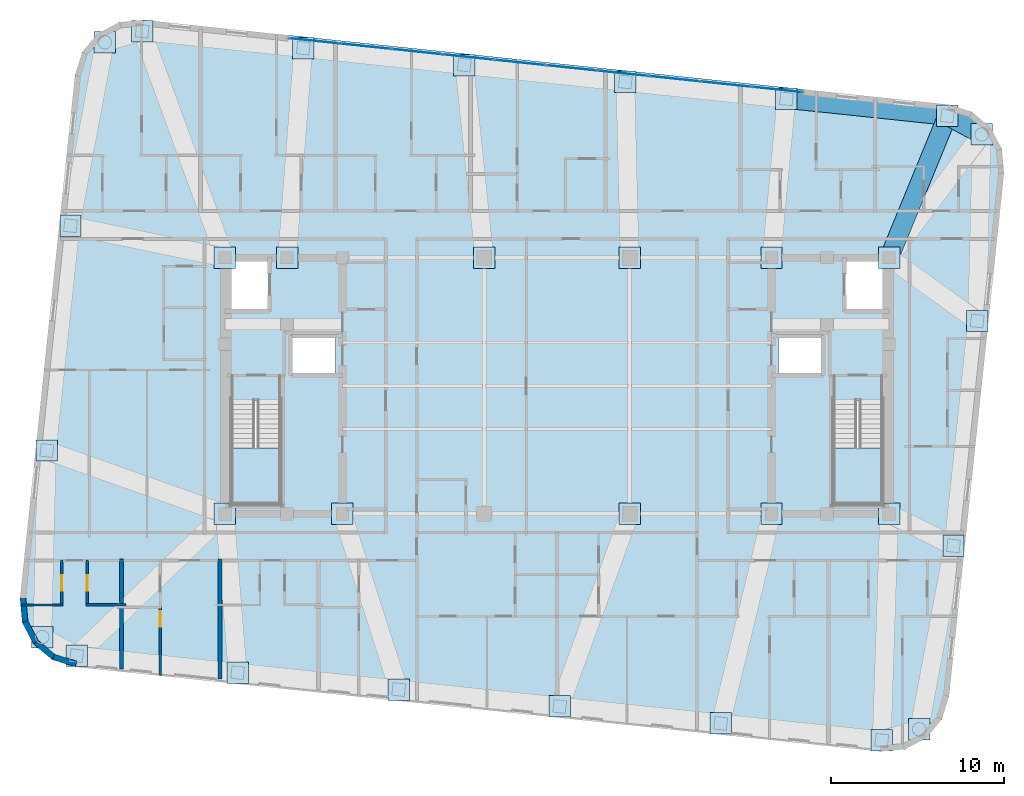
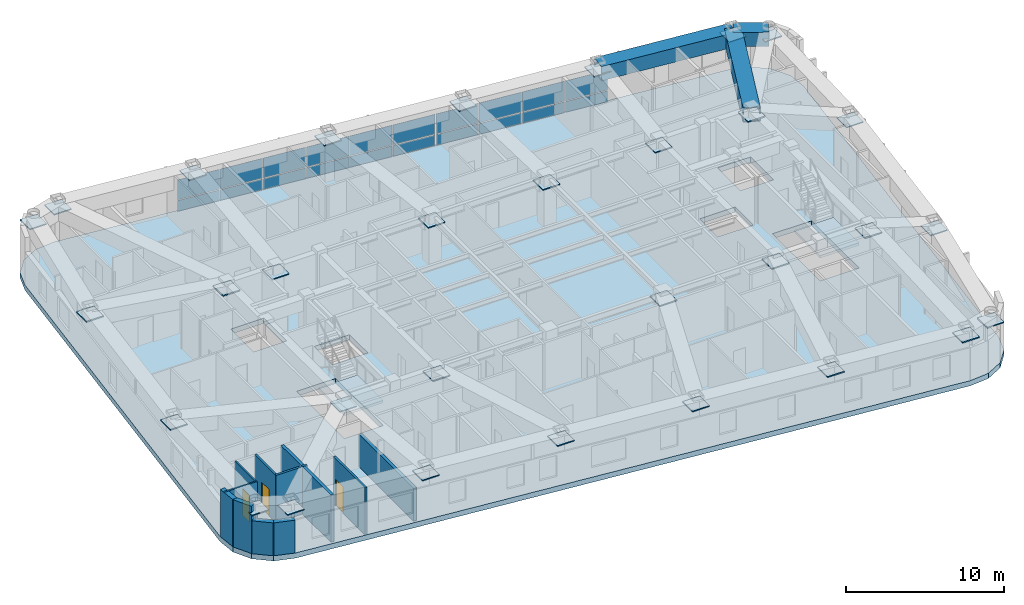
# One storey, part 7 of 16: 51 plates, 11 walls, 3 beams, 3 doors, 3 slabs, 3 openings, 3 elements without a shape of their own.
"""IFC4 building model written with IfcOpenShell, lengths in metres."""

from ifc_helpers import new_model, si_unit, direction, frame, frame_2d, origin, origin_2d, place, context, subcontext, project, spatial, polyline, rectangle, hollow_rectangle, outline, extrude, material, layer, layer_set, material_profile, profile_set, type_object, element, fill, aggregate, save


model = new_model("IFC4")

# Units and contexts
model_context = context("Model", 3, precision=1e-05, world=origin(), true_north=direction((0.0, 1.0)))
body_context = subcontext(model_context, "Body", "Model", "MODEL_VIEW")
ifc_project = project(units=[si_unit("LENGTHUNIT", "METRE"), si_unit("AREAUNIT", "SQUARE_METRE"), si_unit("VOLUMEUNIT", "CUBIC_METRE"), si_unit("PLANEANGLEUNIT", "RADIAN"), si_unit("MASSUNIT", "GRAM", prefix="KILO")], contexts=[model_context])

# Site, building, storey
site_placement = place(None, origin())
site = spatial("IfcSite", under=ifc_project, at=site_placement, CompositionType="ELEMENT")
building_placement = place(site_placement, origin())
building = spatial("IfcBuilding", under=site, at=building_placement, Name="Voryun Gate Residences", CompositionType="ELEMENT")
storey_placement = place(building_placement, frame((0.0, 0.0, 260.0)))
storey = spatial("IfcBuildingStorey", under=building, at=storey_placement, Name="L64", CompositionType="ELEMENT", Elevation=260.0)

# Beams
ifc_material_1 = material(Name="Steel SM420", Category="steel")
ifc_material_profile = material_profile(ifc_material_1, hollow_rectangle(XDim=1.10009765625, YDim=1.10009765625, WallThickness=0.035888671875, at=origin_2d()), Name="BOX-1100x1100x36")
ifc_profile_set = profile_set([ifc_material_profile], Name="Steel SM420")
beam_type = type_object("IfcBeamType", Name="BM_ARCH_RIB", PredefinedType="USERDEFINED", material=ifc_profile_set)
beam_1_placement = place(storey_placement, frame((24.55322265625, 14.52734375, 3.10009765625), z_axis=(-0.878844363117, 0.477108567746, 0.0), x_axis=(-0.477108567746, -0.878844363117, 0.0)))
element("IfcBeam", 1, at=beam_1_placement, inside=storey, type_object=beam_type, Name="BM-L64-SPAND-10", ObjectType="GIRDER", PredefinedType="USERDEFINED", context=body_context, shape_type="SweptSolid", body=[
    extrude(hollow_rectangle(XDim=1.10009765625, YDim=1.10009765625, WallThickness=0.035888671875, at=origin_2d()), origin(), (0.0, 0.0, 1.0), 2.257568359375),
])
beam_2_placement = place(storey_placement, frame((22.569091796875, 15.6044921875, 3.10009765625), z_axis=(-0.994520592114, 0.104540862157, 0.0), x_axis=(-0.104540862157, -0.994520592114, 0.0)))
element("IfcBeam", 2, at=beam_2_placement, inside=storey, type_object=beam_type, Name="BM-L64-SPAND-11", ObjectType="GIRDER", PredefinedType="USERDEFINED", context=body_context, shape_type="SweptSolid", body=[
    extrude(hollow_rectangle(XDim=1.10009765625, YDim=1.10009765625, WallThickness=0.035888671875, at=origin_2d()), origin(), (0.0, 0.0, 1.0), 9.360107421875),
])
beam_3_placement = place(storey_placement, frame((19.199951171875, 7.39990234375, 3.10009765625), z_axis=(0.379860811741, 0.925043655026, 0.0), x_axis=(-0.925043655026, 0.379860811741, 0.0)))
element("IfcBeam", 3, at=beam_3_placement, inside=storey, type_object=beam_type, Name="BM-L64-RAD-N1", ObjectType="GIRDER", PredefinedType="USERDEFINED", context=body_context, shape_type="SweptSolid", body=[
    extrude(hollow_rectangle(XDim=1.10009765625, YDim=1.10009765625, WallThickness=0.035888671875, at=origin_2d()), origin(), (0.0, 0.0, 1.0), 8.869384765625),
])

# Plates
ifc_material_2 = material(Name="Steel SM355", Category="steel")
ifc_layer_1 = layer(ifc_material_2, 0.02490234375, Name="PLT_END_CAP_25")
ifc_layer_set_1 = layer_set([ifc_layer_1], Name="Steel SM355")
plate_type_1 = type_object("IfcPlateType", Name="PLT_END_CAP_25", PredefinedType="USERDEFINED", material=ifc_layer_set_1)
for number, where, z_axis, x_axis, name in (
    (4, (-27.76904296875, -15.6044921875, 3.06005859375), (0.0, 0.0, 1.0), (1.0, 0.0, 0.0), "L64 Hollow Member End-Cap Plate EC-798"),
    (5, (-18.460205078125, -16.5830078125, 3.06005859375), (0.0, 0.0, 1.0), (1.0, 0.0, 0.0), "L64 Hollow Member End-Cap Plate EC-799"),
    (6, (-9.151611328125, -17.561279296875, 3.06005859375), (0.0, 0.0, 1.0), (1.0, 0.0, 0.0), "L64 Hollow Member End-Cap Plate EC-800"),
    (7, (0.1572265625, -18.539794921875, 3.06005859375), (0.0, 0.0, 1.0), (1.0, 0.0, 0.0), "L64 Hollow Member End-Cap Plate EC-801"),
    (8, (9.4658203125, -19.51806640625, 3.06005859375), (0.0, 0.0, 1.0), (1.0, 0.0, 0.0), "L64 Hollow Member End-Cap Plate EC-802"),
    (9, (18.774658203125, -20.49658203125, 3.06005859375), (0.0, 0.0, 1.0), (1.0, 0.0, 0.0), "L64 Hollow Member End-Cap Plate EC-803"),
    (10, (20.939453125, -19.855224609375, 3.06005859375), (0.0, 0.0, 1.0), (1.0, 0.0, 0.0), "L64 Hollow Member End-Cap Plate EC-804"),
    (11, (22.922607421875, -9.25244140625, 3.06005859375), (0.0, 0.0, 1.0), (1.0, 0.0, 0.0), "L64 Hollow Member End-Cap Plate EC-805"),
    (12, (24.28857421875, 3.743896484375, 3.06005859375), (0.0, 0.0, 1.0), (1.0, 0.0, 0.0), "L64 Hollow Member End-Cap Plate EC-806"),
    (13, (24.55322265625, 14.52734375, 3.06005859375), (0.0, 0.0, 1.0), (1.0, 0.0, 0.0), "L64 Hollow Member End-Cap Plate EC-807"),
    (14, (22.569091796875, 15.6044921875, 3.06005859375), (0.0, 0.0, 1.0), (1.0, 0.0, 0.0), "L64 Hollow Member End-Cap Plate EC-808"),
    (15, (13.26025390625, 16.5830078125, 3.06005859375), (0.0, 0.0, 1.0), (1.0, 0.0, 0.0), "L64 Hollow Member End-Cap Plate EC-809"),
    (16, (3.95166015625, 17.561279296875, 3.06005859375), (0.0, 0.0, 1.0), (1.0, 0.0, 0.0), "L64 Hollow Member End-Cap Plate EC-810"),
    (17, (-5.357177734375, 18.539794921875, 3.06005859375), (0.0, 0.0, 1.0), (1.0, 0.0, 0.0), "L64 Hollow Member End-Cap Plate EC-811"),
    (18, (-14.666015625, 19.51806640625, 3.06005859375), (0.0, 0.0, 1.0), (1.0, 0.0, 0.0), "L64 Hollow Member End-Cap Plate EC-812"),
    (19, (-23.974609375, 20.49658203125, 3.06005859375), (0.0, 0.0, 1.0), (1.0, 0.0, 0.0), "L64 Hollow Member End-Cap Plate EC-813"),
    (20, (-26.139404296875, 19.855224609375, 3.06005859375), (0.0, 0.0, 1.0), (1.0, 0.0, 0.0), "L64 Hollow Member End-Cap Plate EC-814"),
    (21, (-28.122802734375, 9.25244140625, 3.06005859375), (0.0, 0.0, 1.0), (1.0, 0.0, 0.0), "L64 Hollow Member End-Cap Plate EC-815"),
    (22, (-29.488525390625, -3.743896484375, 3.06005859375), (0.0, 0.0, 1.0), (1.0, 0.0, 0.0), "L64 Hollow Member End-Cap Plate EC-816"),
    (23, (-29.75341796875, -14.52734375, 3.06005859375), (0.0, 0.0, 1.0), (1.0, 0.0, 0.0), "L64 Hollow Member End-Cap Plate EC-817"),
    (24, (-19.199951171875, -7.39990234375, 3.06005859375), (0.0, 0.0, 1.0), (1.0, 0.0, 0.0), "L64 Hollow Member End-Cap Plate EC-818"),
    (25, (-12.39990234375, -7.39990234375, 3.06005859375), (0.0, 0.0, 1.0), (1.0, 0.0, 0.0), "L64 Hollow Member End-Cap Plate EC-819"),
    (26, (4.199951171875, -7.39990234375, 3.06005859375), (0.0, 0.0, 1.0), (1.0, 0.0, 0.0), "L64 Hollow Member End-Cap Plate EC-820"),
    (27, (12.39990234375, -7.39990234375, 3.06005859375), (0.0, 0.0, 1.0), (1.0, 0.0, 0.0), "L64 Hollow Member End-Cap Plate EC-821"),
    (28, (19.199951171875, -7.39990234375, 3.06005859375), (0.0, 0.0, 1.0), (1.0, 0.0, 0.0), "L64 Hollow Member End-Cap Plate EC-822"),
    (29, (19.199951171875, 7.39990234375, 3.06005859375), (0.0, 0.0, 1.0), (1.0, 0.0, 0.0), "L64 Hollow Member End-Cap Plate EC-823"),
    (30, (12.39990234375, 7.39990234375, 3.06005859375), (0.0, 0.0, 1.0), (1.0, 0.0, 0.0), "L64 Hollow Member End-Cap Plate EC-824"),
    (31, (4.199951171875, 7.39990234375, 3.06005859375), (0.0, 0.0, 1.0), (1.0, 0.0, 0.0), "L64 Hollow Member End-Cap Plate EC-825"),
    (32, (-4.199951171875, 7.39990234375, 3.06005859375), (0.0, 0.0, 1.0), (1.0, 0.0, 0.0), "L64 Hollow Member End-Cap Plate EC-826"),
    (33, (-15.60009765625, 7.39990234375, 3.06005859375), (0.0, 0.0, 1.0), (1.0, 0.0, 0.0), "L64 Hollow Member End-Cap Plate EC-827"),
    (34, (-19.199951171875, 7.39990234375, 3.06005859375), (0.0, 0.0, 1.0), (1.0, 0.0, 0.0), "L64 Hollow Member End-Cap Plate EC-828"),
):
    element("IfcPlate", number, at=place(storey_placement, frame(where, z_axis=z_axis, x_axis=x_axis)), inside=storey, type_object=plate_type_1, Name=name, ObjectType="BASE_PLATE", PredefinedType="USERDEFINED", context=body_context, shape_type="SweptSolid", body=[
        extrude(rectangle(XDim=1.239990234375, YDim=1.239990234375, at=origin_2d()), origin(), (0.0, 0.0, 1.0), 0.080078125),
    ])

# Curtain wall, plates
ifc_material_3 = material(Name="Anodised aluminium", Category="aluminium")
ifc_layer_2 = layer(ifc_material_3, 0.2099609375, Name="CW_SYS_SKYGARDEN_DARK_GLASS")
ifc_layer_set_2 = layer_set([ifc_layer_2], Name="Anodised aluminium")
curtain_wall_type = type_object("IfcCurtainWallType", Name="CW_SYS_SKYGARDEN_DARK_GLASS", PredefinedType="NOTDEFINED", material=ifc_layer_set_2)
curtain_wall_placement = place(storey_placement, origin())
curtain_wall = element("IfcCurtainWall", 35, at=curtain_wall_placement, inside=storey, type_object=curtain_wall_type, Name="Curtain wall CW5-L64-SG-11", PredefinedType="NOTDEFINED")
ifc_material_4 = material(Name="Laminated low-E glass", Category="glass")
ifc_layer_3 = layer(ifc_material_4, 0.0458984375, Name="PLT_GLASS_DARK_SKY")
ifc_layer_set_3 = layer_set([ifc_layer_3], Name="Laminated low-E glass")
plate_type_2 = type_object("IfcPlateType", Name="PLT_GLASS_DARK_SKY", PredefinedType="CURTAIN_PANEL", material=ifc_layer_set_3)
plate_1_placement = place(storey_placement, frame((-14.03271484375, 19.934326171875, 0.06005859375), z_axis=(0.0, 0.0, 1.0), x_axis=(0.994521496699, -0.104532256285, 0.0)))
plate_1 = element("IfcPlate", 36, at=plate_1_placement, type_object=plate_type_2, Name="CW5 panel 1.1", PredefinedType="CURTAIN_PANEL", context=body_context, shape_type="SweptSolid", body=[
    extrude(rectangle(XDim=2.903076171875, YDim=0.028076171875, at=origin_2d()), origin(), (0.0, 0.0, 1.0), 0.824462890625),
])
plate_2_placement = place(storey_placement, frame((-14.03271484375, 19.934326171875, 0.9443359375), z_axis=(0.0, 0.0, 1.0), x_axis=(0.994521496699, -0.104532256285, 0.0)))
plate_2 = element("IfcPlate", 37, at=plate_2_placement, type_object=plate_type_2, Name="CW5 panel 1.2", PredefinedType="CURTAIN_PANEL", context=body_context, shape_type="SweptSolid", body=[
    extrude(rectangle(XDim=2.903076171875, YDim=0.028076171875, at=origin_2d()), origin(), (0.0, 0.0, 1.0), 1.53564453125),
])
plate_3_placement = place(storey_placement, frame((-11.071044921875, 19.623046875, 0.06005859375), z_axis=(0.0, 0.0, 1.0), x_axis=(0.994521496699, -0.104532256285, 0.0)))
plate_3 = element("IfcPlate", 38, at=plate_3_placement, type_object=plate_type_2, Name="CW5 panel 2.1", PredefinedType="CURTAIN_PANEL", context=body_context, shape_type="SweptSolid", body=[
    extrude(rectangle(XDim=2.93310546875, YDim=0.028076171875, at=origin_2d()), origin(), (0.0, 0.0, 1.0), 0.824462890625),
])
plate_4_placement = place(storey_placement, frame((-11.071044921875, 19.623046875, 0.9443359375), z_axis=(0.0, 0.0, 1.0), x_axis=(0.994521496699, -0.104532256285, 0.0)))
plate_4 = element("IfcPlate", 39, at=plate_4_placement, type_object=plate_type_2, Name="CW5 panel 2.2", PredefinedType="CURTAIN_PANEL", context=body_context, shape_type="SweptSolid", body=[
    extrude(rectangle(XDim=2.93310546875, YDim=0.028076171875, at=origin_2d()), origin(), (0.0, 0.0, 1.0), 1.53564453125),
])
plate_5_placement = place(storey_placement, frame((-8.09423828125, 19.31005859375, 0.06005859375), z_axis=(0.0, 0.0, 1.0), x_axis=(0.994521496699, -0.104532256285, 0.0)))
plate_5 = element("IfcPlate", 40, at=plate_5_placement, type_object=plate_type_2, Name="CW5 panel 3.1", PredefinedType="CURTAIN_PANEL", context=body_context, shape_type="SweptSolid", body=[
    extrude(rectangle(XDim=2.93310546875, YDim=0.028076171875, at=origin_2d()), origin(), (0.0, 0.0, 1.0), 0.824462890625),
])
plate_6_placement = place(storey_placement, frame((-8.09423828125, 19.31005859375, 0.9443359375), z_axis=(0.0, 0.0, 1.0), x_axis=(0.994521496699, -0.104532256285, 0.0)))
plate_6 = element("IfcPlate", 41, at=plate_6_placement, type_object=plate_type_2, Name="CW5 panel 3.2", PredefinedType="CURTAIN_PANEL", context=body_context, shape_type="SweptSolid", body=[
    extrude(rectangle(XDim=2.93310546875, YDim=0.028076171875, at=origin_2d()), origin(), (0.0, 0.0, 1.0), 1.53564453125),
])
plate_7_placement = place(storey_placement, frame((-5.11767578125, 18.997314453125, 0.06005859375), z_axis=(0.0, 0.0, 1.0), x_axis=(0.994521496699, -0.104532256285, 0.0)))
plate_7 = element("IfcPlate", 42, at=plate_7_placement, type_object=plate_type_2, Name="CW5 panel 4.1", PredefinedType="CURTAIN_PANEL", context=body_context, shape_type="SweptSolid", body=[
    extrude(rectangle(XDim=2.93310546875, YDim=0.028076171875, at=origin_2d()), origin(), (0.0, 0.0, 1.0), 0.824462890625),
])
plate_8_placement = place(storey_placement, frame((-5.11767578125, 18.997314453125, 0.9443359375), z_axis=(0.0, 0.0, 1.0), x_axis=(0.994521496699, -0.104532256285, 0.0)))
plate_8 = element("IfcPlate", 43, at=plate_8_placement, type_object=plate_type_2, Name="CW5 panel 4.2", PredefinedType="CURTAIN_PANEL", context=body_context, shape_type="SweptSolid", body=[
    extrude(rectangle(XDim=2.93310546875, YDim=0.028076171875, at=origin_2d()), origin(), (0.0, 0.0, 1.0), 1.53564453125),
])
plate_9_placement = place(storey_placement, frame((-2.140869140625, 18.684326171875, 0.06005859375), z_axis=(0.0, 0.0, 1.0), x_axis=(0.994521496699, -0.104532256285, 0.0)))
plate_9 = element("IfcPlate", 44, at=plate_9_placement, type_object=plate_type_2, Name="CW5 panel 5.1", PredefinedType="CURTAIN_PANEL", context=body_context, shape_type="SweptSolid", body=[
    extrude(rectangle(XDim=2.93310546875, YDim=0.028076171875, at=origin_2d()), origin(), (0.0, 0.0, 1.0), 0.824462890625),
])
plate_10_placement = place(storey_placement, frame((-2.140869140625, 18.684326171875, 0.9443359375), z_axis=(0.0, 0.0, 1.0), x_axis=(0.994521496699, -0.104532256285, 0.0)))
plate_10 = element("IfcPlate", 45, at=plate_10_placement, type_object=plate_type_2, Name="CW5 panel 5.2", PredefinedType="CURTAIN_PANEL", context=body_context, shape_type="SweptSolid", body=[
    extrude(rectangle(XDim=2.93310546875, YDim=0.028076171875, at=origin_2d()), origin(), (0.0, 0.0, 1.0), 1.53564453125),
])
plate_11_placement = place(storey_placement, frame((0.835693359375, 18.37158203125, 0.06005859375), z_axis=(0.0, 0.0, 1.0), x_axis=(0.994521496699, -0.104532256285, 0.0)))
plate_11 = element("IfcPlate", 46, at=plate_11_placement, type_object=plate_type_2, Name="CW5 panel 6.1", PredefinedType="CURTAIN_PANEL", context=body_context, shape_type="SweptSolid", body=[
    extrude(rectangle(XDim=2.93310546875, YDim=0.028076171875, at=origin_2d()), origin(), (0.0, 0.0, 1.0), 0.824462890625),
])
plate_12_placement = place(storey_placement, frame((0.835693359375, 18.37158203125, 0.9443359375), z_axis=(0.0, 0.0, 1.0), x_axis=(0.994521496699, -0.104532256285, 0.0)))
plate_12 = element("IfcPlate", 47, at=plate_12_placement, type_object=plate_type_2, Name="CW5 panel 6.2", PredefinedType="CURTAIN_PANEL", context=body_context, shape_type="SweptSolid", body=[
    extrude(rectangle(XDim=2.93310546875, YDim=0.028076171875, at=origin_2d()), origin(), (0.0, 0.0, 1.0), 1.53564453125),
])
plate_13_placement = place(storey_placement, frame((3.812255859375, 18.05859375, 0.06005859375), z_axis=(0.0, 0.0, 1.0), x_axis=(0.994521496699, -0.104532256285, 0.0)))
plate_13 = element("IfcPlate", 48, at=plate_13_placement, type_object=plate_type_2, Name="CW5 panel 7.1", PredefinedType="CURTAIN_PANEL", context=body_context, shape_type="SweptSolid", body=[
    extrude(rectangle(XDim=2.93310546875, YDim=0.028076171875, at=origin_2d()), origin(), (0.0, 0.0, 1.0), 0.824462890625),
])
plate_14_placement = place(storey_placement, frame((3.812255859375, 18.05859375, 0.9443359375), z_axis=(0.0, 0.0, 1.0), x_axis=(0.994521496699, -0.104532256285, 0.0)))
plate_14 = element("IfcPlate", 49, at=plate_14_placement, type_object=plate_type_2, Name="CW5 panel 7.2", PredefinedType="CURTAIN_PANEL", context=body_context, shape_type="SweptSolid", body=[
    extrude(rectangle(XDim=2.93310546875, YDim=0.028076171875, at=origin_2d()), origin(), (0.0, 0.0, 1.0), 1.53564453125),
])
plate_15_placement = place(storey_placement, frame((6.7890625, 17.745849609375, 0.06005859375), z_axis=(0.0, 0.0, 1.0), x_axis=(0.994521496699, -0.104532256285, 0.0)))
plate_15 = element("IfcPlate", 50, at=plate_15_placement, type_object=plate_type_2, Name="CW5 panel 8.1", PredefinedType="CURTAIN_PANEL", context=body_context, shape_type="SweptSolid", body=[
    extrude(rectangle(XDim=2.93310546875, YDim=0.028076171875, at=origin_2d()), origin(), (0.0, 0.0, 1.0), 0.824462890625),
])
plate_16_placement = place(storey_placement, frame((6.7890625, 17.745849609375, 0.9443359375), z_axis=(0.0, 0.0, 1.0), x_axis=(0.994521496699, -0.104532256285, 0.0)))
plate_16 = element("IfcPlate", 51, at=plate_16_placement, type_object=plate_type_2, Name="CW5 panel 8.2", PredefinedType="CURTAIN_PANEL", context=body_context, shape_type="SweptSolid", body=[
    extrude(rectangle(XDim=2.93310546875, YDim=0.028076171875, at=origin_2d()), origin(), (0.0, 0.0, 1.0), 1.53564453125),
])
plate_17_placement = place(storey_placement, frame((9.765625, 17.432861328125, 0.06005859375), z_axis=(0.0, 0.0, 1.0), x_axis=(0.994521496699, -0.104532256285, 0.0)))
plate_17 = element("IfcPlate", 52, at=plate_17_placement, type_object=plate_type_2, Name="CW5 panel 9.1", PredefinedType="CURTAIN_PANEL", context=body_context, shape_type="SweptSolid", body=[
    extrude(rectangle(XDim=2.93310546875, YDim=0.028076171875, at=origin_2d()), origin(), (0.0, 0.0, 1.0), 0.824462890625),
])
plate_18_placement = place(storey_placement, frame((9.765625, 17.432861328125, 0.9443359375), z_axis=(0.0, 0.0, 1.0), x_axis=(0.994521496699, -0.104532256285, 0.0)))
plate_18 = element("IfcPlate", 53, at=plate_18_placement, type_object=plate_type_2, Name="CW5 panel 9.2", PredefinedType="CURTAIN_PANEL", context=body_context, shape_type="SweptSolid", body=[
    extrude(rectangle(XDim=2.93310546875, YDim=0.028076171875, at=origin_2d()), origin(), (0.0, 0.0, 1.0), 1.53564453125),
])
plate_19_placement = place(storey_placement, frame((12.727294921875, 17.12158203125, 0.06005859375), z_axis=(0.0, 0.0, 1.0), x_axis=(0.994521496699, -0.104532256285, 0.0)))
plate_19 = element("IfcPlate", 54, at=plate_19_placement, type_object=plate_type_2, Name="CW5 panel 10.1", PredefinedType="CURTAIN_PANEL", context=body_context, shape_type="SweptSolid", body=[
    extrude(rectangle(XDim=2.903076171875, YDim=0.028076171875, at=origin_2d()), origin(), (0.0, 0.0, 1.0), 0.824462890625),
])
plate_20_placement = place(storey_placement, frame((12.727294921875, 17.12158203125, 0.9443359375), z_axis=(0.0, 0.0, 1.0), x_axis=(0.994521496699, -0.104532256285, 0.0)))
plate_20 = element("IfcPlate", 55, at=plate_20_placement, type_object=plate_type_2, Name="CW5 panel 10.2", PredefinedType="CURTAIN_PANEL", context=body_context, shape_type="SweptSolid", body=[
    extrude(rectangle(XDim=2.903076171875, YDim=0.028076171875, at=origin_2d()), origin(), (0.0, 0.0, 1.0), 1.53564453125),
])
aggregate(curtain_wall, [plate_1, plate_2, plate_3, plate_4, plate_5, plate_6, plate_7, plate_8, plate_9, plate_10, plate_11, plate_12, plate_13, plate_14, plate_15, plate_16, plate_17, plate_18, plate_19, plate_20])

# Stair, slab
ifc_material_5 = material(Name="Concrete C40/50", Category="concrete")
stair_type = type_object("IfcStairType", Name="STR_CORE_DOGLEG_1350", PredefinedType="HALF_TURN_STAIR", material=ifc_material_5)
stair_1_placement = place(storey_placement, origin())
stair_1 = element("IfcStair", 56, at=stair_1_placement, inside=storey, type_object=stair_type, Name="L64 Special Escape Stair ST-W1", PredefinedType="HALF_TURN_STAIR")
ifc_material_6 = material(Name="Concrete C40/50", Category="concrete")
ifc_layer_4 = layer(ifc_material_6, 0.199951171875, Name="SLB_STAIR_LANDING_200")
ifc_layer_set_4 = layer_set([ifc_layer_4], Name="Concrete C40/50")
slab_type_1 = type_object("IfcSlabType", Name="SLB_STAIR_LANDING_200", PredefinedType="LANDING", material=ifc_layer_set_4)
slab_1_placement = place(storey_placement, frame((0.0, 0.0, 1.75)))
slab_1 = element("IfcSlab", 57, at=slab_1_placement, type_object=slab_type_1, Name="ST-W1 landing 1", PredefinedType="LANDING", context=body_context, shape_type="SweptSolid", body=[
    extrude(outline(polyline([(-18.824951171875, -3.60009765625), (-18.824951171875, -6.85009765625), (-15.97509765625, -6.85009765625), (-15.97509765625, -3.60009765625), (-18.824951171875, -3.60009765625)])), origin(), (0.0, 0.0, 1.0), 0.199951171875),
])
aggregate(stair_1, [slab_1])

stair_2_placement = place(storey_placement, origin())
stair_2 = element("IfcStair", 58, at=stair_2_placement, inside=storey, type_object=stair_type, Name="L64 Special Escape Stair ST-E1", PredefinedType="HALF_TURN_STAIR")
slab_2_placement = place(storey_placement, frame((0.0, 0.0, 1.75)))
slab_2 = element("IfcSlab", 59, at=slab_2_placement, type_object=slab_type_1, Name="ST-E1 landing 1", PredefinedType="LANDING", context=body_context, shape_type="SweptSolid", body=[
    extrude(outline(polyline([(15.97509765625, -3.60009765625), (15.97509765625, -6.85009765625), (18.824951171875, -6.85009765625), (18.824951171875, -3.60009765625), (15.97509765625, -3.60009765625)])), origin(), (0.0, 0.0, 1.0), 0.199951171875),
])
aggregate(stair_2, [slab_2])

# Slab
ifc_material_7 = material(Name="Concrete C50/60", Category="concrete")
ifc_layer_5 = layer(ifc_material_7, 0.39990234375, Name="SLB_XFER_400")
ifc_layer_set_5 = layer_set([ifc_layer_5], Name="Concrete C50/60")
slab_type_2 = type_object("IfcSlabType", Name="SLB_XFER_400", PredefinedType="FLOOR", material=ifc_layer_set_5)
slab_3_placement = place(storey_placement, frame((0.0, 0.0, -0.39990234375)))
element("IfcSlab", 60, at=slab_3_placement, inside=storey, type_object=slab_type_2, Name="L64 Structural Floor Slab", PredefinedType="FLOOR", context=body_context, shape_type="SweptSolid", body=[
    extrude(outline(polyline([(-27.8369140625, -16.2509765625), (-29.178466796875, -15.83447265625), (-30.25830078125, -14.936279296875), (-30.912353515625, -13.693115234375), (-31.041015625, -12.29443359375), (-27.86328125, 17.93896484375), (-27.44677734375, 19.280517578125), (-26.548583984375, 20.3603515625), (-25.305419921875, 21.014404296875), (-23.90673828125, 21.14306640625), (22.636962890625, 16.2509765625), (23.978515625, 15.83447265625), (25.058349609375, 14.936279296875), (25.71240234375, 13.693115234375), (25.8408203125, 12.29443359375), (22.663330078125, -17.93896484375), (22.246826171875, -19.280517578125), (21.3486328125, -20.3603515625), (20.10546875, -21.014404296875), (18.706787109375, -21.14306640625), (-27.8369140625, -16.2509765625)]), holes=[polyline([(-15.97509765625, -0.840087890625), (-18.824951171875, -0.840087890625), (-18.824951171875, -6.85009765625), (-15.97509765625, -6.85009765625), (-15.97509765625, -0.840087890625)]), polyline([(18.824951171875, -6.85009765625), (18.824951171875, -0.840087890625), (15.97509765625, -0.840087890625), (15.97509765625, -6.85009765625), (18.824951171875, -6.85009765625)]), polyline([(-12.800048828125, 2.89990234375), (-15.39990234375, 2.89990234375), (-15.39990234375, 0.60009765625), (-12.800048828125, 0.60009765625), (-12.800048828125, 2.89990234375)]), polyline([(12.800048828125, 2.89990234375), (12.800048828125, 0.60009765625), (15.39990234375, 0.60009765625), (15.39990234375, 2.89990234375), (12.800048828125, 2.89990234375)]), polyline([(-16.60009765625, 7.199951171875), (-19.0, 7.199951171875), (-19.0, 4.300048828125), (-16.60009765625, 4.300048828125), (-16.60009765625, 7.199951171875)]), polyline([(19.0, 7.199951171875), (16.60009765625, 7.199951171875), (16.60009765625, 4.300048828125), (19.0, 4.300048828125), (19.0, 7.199951171875)])]), origin(), (0.0, 0.0, 1.0), 0.39990234375),
])

# Walls
ifc_material_8 = material(Name="Charcoal terracotta masonry", Category="masonry")
ifc_layer_6 = layer(ifc_material_8, 0.340087890625, Name="W_EXT_TERRACOTTA_340")
ifc_layer_set_6 = layer_set([ifc_layer_6], Name="Charcoal terracotta masonry")
wall_type_1 = type_object("IfcWallType", Name="W_EXT_TERRACOTTA_340", PredefinedType="ELEMENTEDWALL", material=ifc_layer_set_6)
wall_1_placement = place(storey_placement, frame((-27.802490234375, -16.083740234375, 0.0), z_axis=(0.0, 0.0, 1.0), x_axis=(-0.955007802701, 0.296580674994, 0.0)))
element("IfcWall", 61, at=wall_1_placement, inside=storey, type_object=wall_type_1, Name="Exterior wall WEXT-L64-02", PredefinedType="ELEMENTEDWALL", context=body_context, shape_type="SweptSolid", body=[
    extrude(rectangle(XDim=1.354248046875, YDim=0.340087890625, at=frame_2d((0.67724609375, 0.0))), origin(), (0.0, 0.0, 1.0), 2.5400390625),
])
wall_2_placement = place(storey_placement, frame((-29.095703125, -15.68212890625, 0.0), z_axis=(0.0, 0.0, 1.0), x_axis=(-0.768864427906, 0.639411832469, 0.0)))
element("IfcWall", 62, at=wall_2_placement, inside=storey, type_object=wall_type_1, Name="Exterior wall WEXT-L64-03", PredefinedType="ELEMENTEDWALL", context=body_context, shape_type="SweptSolid", body=[
    extrude(rectangle(XDim=1.337158203125, YDim=0.340087890625, at=frame_2d((0.66845703125, 0.0))), origin(), (0.0, 0.0, 1.0), 2.5400390625),
])
wall_3_placement = place(storey_placement, frame((-30.123779296875, -14.8271484375, 0.0), z_axis=(0.0, 0.0, 1.0), x_axis=(-0.465528132217, 0.885033083062, 0.0)))
element("IfcWall", 63, at=wall_3_placement, inside=storey, type_object=wall_type_1, Name="Exterior wall WEXT-L64-04", PredefinedType="ELEMENTEDWALL", context=body_context, shape_type="SweptSolid", body=[
    extrude(rectangle(XDim=1.3369140625, YDim=0.340087890625, at=frame_2d((0.66845703125, 0.0))), origin(), (0.0, 0.0, 1.0), 3.64990234375),
])
wall_4_placement = place(storey_placement, frame((-30.74609375, -13.64404296875, 0.0), z_axis=(0.0, 0.0, 1.0), x_axis=(-0.091592370975, 0.995796584438, 0.0)))
element("IfcWall", 64, at=wall_4_placement, inside=storey, type_object=wall_type_1, Name="Exterior wall WEXT-L64-05", PredefinedType="ELEMENTEDWALL", context=body_context, shape_type="SweptSolid", body=[
    extrude(rectangle(XDim=1.35400390625, YDim=0.340087890625, at=frame_2d((0.677001953125, 0.0))), origin(), (0.0, 0.0, 1.0), 3.64990234375),
])
ifc_material_9 = material(Name="Concrete C40/50", Category="concrete")
ifc_layer_7 = layer(ifc_material_9, 0.219970703125, Name="W_PARTY_ACOUSTIC_220")
ifc_layer_set_7 = layer_set([ifc_layer_7], Name="Concrete C40/50")
wall_type_2 = type_object("IfcWallType", Name="W_PARTY_ACOUSTIC_220", PredefinedType="PARTITIONING", material=ifc_layer_set_7)
wall_5_placement = place(storey_placement, frame((-25.177978515625, -16.359619140625, 0.0), z_axis=(0.0, 0.0, 1.0), x_axis=(0.0, 1.0, 0.0)))
element("IfcWall", 65, at=wall_5_placement, inside=storey, type_object=wall_type_2, Name="Partition wall WP-L64-SPTY-1", PredefinedType="PARTITIONING", context=body_context, shape_type="SweptSolid", body=[
    extrude(rectangle(XDim=6.339599609375, YDim=0.219970703125, at=frame_2d((3.169921875, 0.0))), origin(), (0.0, 0.0, 1.0), 3.64990234375),
])
wall_6_placement = place(storey_placement, frame((-19.47802734375, -16.958740234375, 0.0), z_axis=(0.0, 0.0, 1.0), x_axis=(0.0, 1.0, 0.0)))
element("IfcWall", 66, at=wall_6_placement, inside=storey, type_object=wall_type_2, Name="Partition wall WP-L64-SPTY-2", PredefinedType="PARTITIONING", context=body_context, shape_type="SweptSolid", body=[
    extrude(rectangle(XDim=6.938720703125, YDim=0.219970703125, at=frame_2d((3.46923828125, 0.0))), origin(), (0.0, 0.0, 1.0), 2.5400390625),
])

# Wall, opening, door
ifc_material_10 = material(Name="Gypsum acoustic partition")
ifc_layer_8 = layer(ifc_material_10, 0.125, Name="W_UNIT_PART_125")
ifc_layer_set_8 = layer_set([ifc_layer_8], Name="Gypsum acoustic partition")
wall_type_3 = type_object("IfcWallType", Name="W_UNIT_PART_125", PredefinedType="PARTITIONING", material=ifc_layer_set_8)
wall_7_placement = place(storey_placement, frame((-28.626953125, -12.72998046875, 0.0), z_axis=(0.0, 0.0, 1.0), x_axis=(0.0, 1.0, 0.0)))
wall_7 = element("IfcWall", 67, at=wall_7_placement, inside=storey, type_object=wall_type_3, Name="Partition wall WP-L64-S1-CVK", PredefinedType="PARTITIONING", context=body_context, shape_type="SweptSolid", body=[
    extrude(rectangle(XDim=2.64990234375, YDim=0.125, at=frame_2d((1.324951171875, 0.0))), origin(), (0.0, 0.0, 1.0), 3.64990234375),
])
opening_1_placement = place(wall_7_placement, frame((0.875, 0.0, 0.0)))
opening_1 = element("IfcOpeningElement", 68, at=opening_1_placement, cuts=wall_7, Name="Opening D-INT-2", PredefinedType="OPENING", context=body_context, shape_type="SweptSolid", body=[
    extrude(rectangle(XDim=0.89990234375, YDim=2.050048828125, at=frame_2d((0.449951171875, 1.02490234375))), frame((0.0, 0.072509765625, 0.0), z_axis=(0.0, -1.0, 0.0), x_axis=(1.0, 0.0, 0.0)), (0.0, 0.0, 1.0), 0.14501953125),
])
ifc_material_11 = material(Name="Architectural oak veneer")
door_type = type_object("IfcDoorType", Name="DR_INT_BATH_900", OperationType="NOTDEFINED", PredefinedType="DOOR", material=ifc_material_11)
door_1_placement = place(opening_1_placement, origin())
door_1 = element("IfcDoor", 69, at=door_1_placement, inside=storey, type_object=door_type, Name="Door DR-L64-S1-DK", OperationType="SINGLE_SWING_LEFT", OverallHeight=2.050048828125, OverallWidth=0.89990234375, PredefinedType="DOOR", context=body_context, shape_type="SweptSolid", body=[
    extrude(rectangle(XDim=0.89990234375, YDim=2.050048828125, at=frame_2d((0.449951171875, 1.02490234375))), frame((0.0, 0.02490234375, 0.0), z_axis=(0.0, -1.0, 0.0), x_axis=(1.0, 0.0, 0.0)), (0.0, 0.0, 1.0), 0.050048828125),
])
fill(opening_1, door_1)

# Wall
wall_8_placement = place(storey_placement, frame((-30.986328125, -12.669921875, 0.0), z_axis=(0.0, 0.0, 1.0), x_axis=(1.0, 0.0, 0.0)))
element("IfcWall", 70, at=wall_8_placement, inside=storey, type_object=wall_type_3, Name="Partition wall WP-L64-S1-CHK", PredefinedType="PARTITIONING", context=body_context, shape_type="SweptSolid", body=[
    extrude(rectangle(XDim=2.41943359375, YDim=0.125, at=frame_2d((1.209716796875, 0.0))), origin(), (0.0, 0.0, 1.0), 3.64990234375),
])

# Wall, opening, door
ifc_material_12 = material(Name="Gypsum moisture-resistant partition")
ifc_layer_9 = layer(ifc_material_12, 0.14990234375, Name="W_WET_PLUMB_150")
ifc_layer_set_9 = layer_set([ifc_layer_9], Name="Gypsum moisture-resistant partition")
wall_type_4 = type_object("IfcWallType", Name="W_WET_PLUMB_150", PredefinedType="PLUMBINGWALL", material=ifc_layer_set_9)
wall_9_placement = place(storey_placement, frame((-27.155029296875, -12.72998046875, 0.0), z_axis=(0.0, 0.0, 1.0), x_axis=(0.0, 1.0, 0.0)))
wall_9 = element("IfcWall", 71, at=wall_9_placement, inside=storey, type_object=wall_type_4, Name="Partition wall WP-L64-S1-CVB", PredefinedType="PLUMBINGWALL", context=body_context, shape_type="SweptSolid", body=[
    extrude(rectangle(XDim=2.64990234375, YDim=0.14990234375, at=frame_2d((1.324951171875, 0.0))), origin(), (0.0, 0.0, 1.0), 3.64990234375),
])
opening_2_placement = place(wall_9_placement, frame((0.875, 0.0, 0.0)))
opening_2 = element("IfcOpeningElement", 72, at=opening_2_placement, cuts=wall_9, Name="Opening D-INT-2", PredefinedType="OPENING", context=body_context, shape_type="SweptSolid", body=[
    extrude(rectangle(XDim=0.89990234375, YDim=2.050048828125, at=frame_2d((0.449951171875, 1.02490234375))), frame((0.0, 0.0849609375, 0.0), z_axis=(0.0, -1.0, 0.0), x_axis=(1.0, 0.0, 0.0)), (0.0, 0.0, 1.0), 0.169921875),
])
door_2_placement = place(opening_2_placement, origin())
door_2 = element("IfcDoor", 73, at=door_2_placement, inside=storey, type_object=door_type, Name="Door DR-L64-S1-DB", OperationType="SINGLE_SWING_RIGHT", OverallHeight=2.050048828125, OverallWidth=0.89990234375, PredefinedType="DOOR", context=body_context, shape_type="SweptSolid", body=[
    extrude(rectangle(XDim=0.89990234375, YDim=2.050048828125, at=frame_2d((0.449951171875, 1.02490234375))), frame((0.0, 0.02490234375, 0.0), z_axis=(0.0, -1.0, 0.0), x_axis=(1.0, 0.0, 0.0)), (0.0, 0.0, 1.0), 0.050048828125),
])
fill(opening_2, door_2)

# Wall
wall_10_placement = place(storey_placement, frame((-27.215087890625, -12.669921875, 0.0), z_axis=(0.0, 0.0, 1.0), x_axis=(1.0, 0.0, 0.0)))
element("IfcWall", 74, at=wall_10_placement, inside=storey, type_object=wall_type_4, Name="Partition wall WP-L64-S1-CHB", PredefinedType="PLUMBINGWALL", context=body_context, shape_type="SweptSolid", body=[
    extrude(rectangle(XDim=2.297119140625, YDim=0.14990234375, at=frame_2d((1.1484375, 0.0))), origin(), (0.0, 0.0, 1.0), 3.64990234375),
])

# Wall, opening, door
wall_11_placement = place(storey_placement, frame((-22.94189453125, -16.745361328125, 0.0), z_axis=(0.0, 0.0, 1.0), x_axis=(0.0, 1.0, 0.0)))
wall_11 = element("IfcWall", 75, at=wall_11_placement, inside=storey, type_object=wall_type_4, Name="Partition wall WP-L64-S2-SVT1", PredefinedType="PLUMBINGWALL", context=body_context, shape_type="SweptSolid", body=[
    extrude(rectangle(XDim=3.9853515625, YDim=0.14990234375, at=frame_2d((1.99267578125, 0.0))), origin(), (0.0, 0.0, 1.0), 3.64990234375),
])
opening_3_placement = place(wall_11_placement, frame((2.818115234375, 0.0, 0.0)))
opening_3 = element("IfcOpeningElement", 76, at=opening_3_placement, cuts=wall_11, Name="Opening D-INT-2", PredefinedType="OPENING", context=body_context, shape_type="SweptSolid", body=[
    extrude(rectangle(XDim=0.89990234375, YDim=2.050048828125, at=frame_2d((0.449951171875, 1.02490234375))), frame((0.0, 0.0849609375, 0.0), z_axis=(0.0, -1.0, 0.0), x_axis=(1.0, 0.0, 0.0)), (0.0, 0.0, 1.0), 0.169921875),
])
door_3_placement = place(opening_3_placement, origin())
door_3 = element("IfcDoor", 77, at=door_3_placement, inside=storey, type_object=door_type, Name="Door DR-L64-S2-DK", OperationType="SINGLE_SWING_LEFT", OverallHeight=2.050048828125, OverallWidth=0.89990234375, PredefinedType="DOOR", context=body_context, shape_type="SweptSolid", body=[
    extrude(rectangle(XDim=0.89990234375, YDim=2.050048828125, at=frame_2d((0.449951171875, 1.02490234375))), frame((0.0, 0.02490234375, 0.0), z_axis=(0.0, -1.0, 0.0), x_axis=(1.0, 0.0, 0.0)), (0.0, 0.0, 1.0), 0.050048828125),
])
fill(opening_3, door_3)

save(model, "model.ifc")
